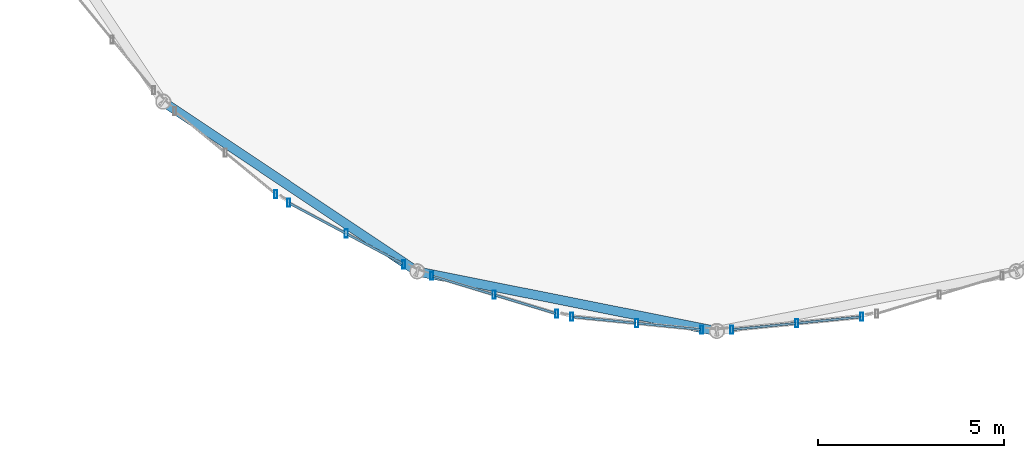
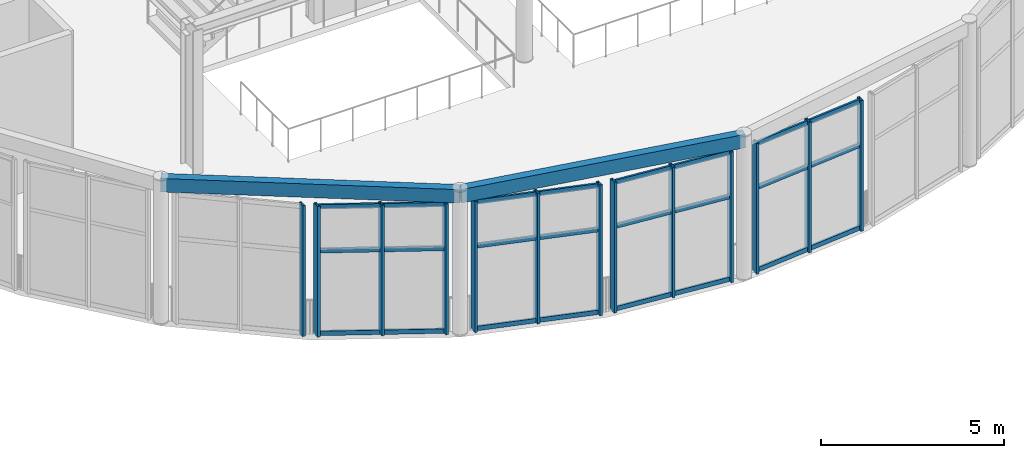
# One storey, part 29 of 143: 37 members, 2 beams, 5 elements without a shape of their own.
"""IFC4 building model written with IfcOpenShell, lengths in metres."""

from ifc_helpers import new_model, si_unit, direction, frame, origin, origin_2d, place, context, subcontext, project, spatial, hollow_rectangle, extrude, material, layer, layer_set, material_profile, profile_set, type_object, element, aggregate, save


model = new_model("IFC4")

# Units and contexts
model_context = context("Model", 3, precision=1e-05, world=origin(), true_north=direction((0.0, 1.0)))
body_context = subcontext(model_context, "Body", "Model", "MODEL_VIEW")
ifc_project = project(units=[si_unit("LENGTHUNIT", "METRE"), si_unit("AREAUNIT", "SQUARE_METRE"), si_unit("VOLUMEUNIT", "CUBIC_METRE"), si_unit("PLANEANGLEUNIT", "RADIAN"), si_unit("MASSUNIT", "GRAM", prefix="KILO")], contexts=[model_context])

# Site, building, storey
site_placement = place(None, origin())
site = spatial("IfcSite", under=ifc_project, at=site_placement, CompositionType="ELEMENT")
building_placement = place(site_placement, origin())
building = spatial("IfcBuilding", under=site, at=building_placement, Name="Marlcrest Central Station", CompositionType="ELEMENT")
storey_placement = place(building_placement, frame((0.0, 0.0, 4.800048828125)))
storey = spatial("IfcBuildingStorey", under=building, at=storey_placement, Name="L01", CompositionType="ELEMENT", Elevation=4.800048828125)

# Curtain wall, member
ifc_material_1 = material(Name="Anodised aluminium and hurricane laminated glass", Category="aluminium")
ifc_layer = layer(ifc_material_1, 0.219970703125, Name="CW-U1")
ifc_layer_set = layer_set([ifc_layer], Name="Anodised aluminium and hurricane laminated glass")
curtain_wall_type = type_object("IfcCurtainWallType", Name="CW-U1", PredefinedType="USERDEFINED", material=ifc_layer_set)
curtain_wall_1_placement = place(storey_placement, origin())
curtain_wall_1 = element("IfcCurtainWall", 1, at=curtain_wall_1_placement, inside=storey, type_object=curtain_wall_type, Name="cw-L01-0013", ObjectType="UNITISED_CURTAIN_WALL", PredefinedType="USERDEFINED")
ifc_material_2 = material(Name="Anodised aluminium 6063-T6", Category="aluminium")
ifc_material_profile_1 = material_profile(ifc_material_2, hollow_rectangle(XDim=0.080078125, YDim=0.219970703125, WallThickness=0.006103515625, at=origin_2d()), Name="AA-RHS 220x80x6")
ifc_profile_set_1 = profile_set([ifc_material_profile_1], Name="Anodised aluminium 6063-T6")
member_type_1 = type_object("IfcMemberType", Name="ML-01", PredefinedType="MULLION", material=ifc_profile_set_1)
member_1_placement = place(storey_placement, frame((96.173828125, 5.169677734375, -0.030029296875), z_axis=(0.0, 0.0, 1.0), x_axis=(1.0, 0.0, 0.0)))
member_1 = element("IfcMember", 2, at=member_1_placement, type_object=member_type_1, Name="cw-L01-0013-ml-0", PredefinedType="MULLION", context=body_context, shape_type="SweptSolid", body=[
    extrude(hollow_rectangle(XDim=0.080078125, YDim=0.219970703125, WallThickness=0.006103515625, at=origin_2d()), origin(), (0.0, 0.0, 1.0), 4.35986328125),
])
aggregate(curtain_wall_1, [member_1])

# Curtain wall, members
curtain_wall_2_placement = place(storey_placement, origin())
curtain_wall_2 = element("IfcCurtainWall", 3, at=curtain_wall_2_placement, inside=storey, type_object=curtain_wall_type, Name="cw-L01-0014", ObjectType="UNITISED_CURTAIN_WALL", PredefinedType="USERDEFINED")
member_2_placement = place(storey_placement, frame((99.607666015625, 3.289306640625, -0.030029296875), z_axis=(0.0, 0.0, 1.0), x_axis=(1.0, 0.0, 0.0)))
member_2 = element("IfcMember", 4, at=member_2_placement, type_object=member_type_1, Name="cw-L01-0014-ml-0", PredefinedType="MULLION", context=body_context, shape_type="SweptSolid", body=[
    extrude(hollow_rectangle(XDim=0.080078125, YDim=0.219970703125, WallThickness=0.006103515625, at=origin_2d()), origin(), (0.0, 0.0, 1.0), 4.35986328125),
])
member_3_placement = place(storey_placement, frame((98.06103515625, 4.11572265625, -0.030029296875), z_axis=(0.0, 0.0, 1.0), x_axis=(1.0, 0.0, 0.0)))
member_3 = element("IfcMember", 5, at=member_3_placement, type_object=member_type_1, Name="cw-L01-0014-ml-1", PredefinedType="MULLION", context=body_context, shape_type="SweptSolid", body=[
    extrude(hollow_rectangle(XDim=0.080078125, YDim=0.219970703125, WallThickness=0.006103515625, at=origin_2d()), origin(), (0.0, 0.0, 1.0), 4.35986328125),
])
member_4_placement = place(storey_placement, frame((96.514404296875, 4.94189453125, -0.030029296875), z_axis=(0.0, 0.0, 1.0), x_axis=(1.0, 0.0, 0.0)))
member_4 = element("IfcMember", 6, at=member_4_placement, type_object=member_type_1, Name="cw-L01-0014-ml-2", PredefinedType="MULLION", context=body_context, shape_type="SweptSolid", body=[
    extrude(hollow_rectangle(XDim=0.080078125, YDim=0.219970703125, WallThickness=0.006103515625, at=origin_2d()), origin(), (0.0, 0.0, 1.0), 4.35986328125),
])

curtain_wall_3_placement = place(storey_placement, origin())
curtain_wall_3 = element("IfcCurtainWall", 7, at=curtain_wall_3_placement, inside=storey, type_object=curtain_wall_type, Name="cw-L01-0015", ObjectType="UNITISED_CURTAIN_WALL", PredefinedType="USERDEFINED")
member_5_placement = place(storey_placement, frame((103.7060546875, 1.963623046875, -0.030029296875), z_axis=(0.0, 0.0, 1.0), x_axis=(1.0, 0.0, 0.0)))
member_5 = element("IfcMember", 8, at=member_5_placement, type_object=member_type_1, Name="cw-L01-0015-ml-0", PredefinedType="MULLION", context=body_context, shape_type="SweptSolid", body=[
    extrude(hollow_rectangle(XDim=0.080078125, YDim=0.219970703125, WallThickness=0.006103515625, at=origin_2d()), origin(), (0.0, 0.0, 1.0), 4.35986328125),
])
member_6_placement = place(storey_placement, frame((102.0283203125, 2.47265625, -0.030029296875), z_axis=(0.0, 0.0, 1.0), x_axis=(1.0, 0.0, 0.0)))
member_6 = element("IfcMember", 9, at=member_6_placement, type_object=member_type_1, Name="cw-L01-0015-ml-1", PredefinedType="MULLION", context=body_context, shape_type="SweptSolid", body=[
    extrude(hollow_rectangle(XDim=0.080078125, YDim=0.219970703125, WallThickness=0.006103515625, at=origin_2d()), origin(), (0.0, 0.0, 1.0), 4.35986328125),
])
member_7_placement = place(storey_placement, frame((100.3505859375, 2.981689453125, -0.030029296875), z_axis=(0.0, 0.0, 1.0), x_axis=(1.0, 0.0, 0.0)))
member_7 = element("IfcMember", 10, at=member_7_placement, type_object=member_type_1, Name="cw-L01-0015-ml-2", PredefinedType="MULLION", context=body_context, shape_type="SweptSolid", body=[
    extrude(hollow_rectangle(XDim=0.080078125, YDim=0.219970703125, WallThickness=0.006103515625, at=origin_2d()), origin(), (0.0, 0.0, 1.0), 4.35986328125),
])

curtain_wall_4_placement = place(storey_placement, origin())
curtain_wall_4 = element("IfcCurtainWall", 11, at=curtain_wall_4_placement, inside=storey, type_object=curtain_wall_type, Name="cw-L01-0016", ObjectType="UNITISED_CURTAIN_WALL", PredefinedType="USERDEFINED")
member_8_placement = place(storey_placement, frame((107.597900390625, 1.53955078125, -0.030029296875), z_axis=(0.0, 0.0, 1.0), x_axis=(1.0, 0.0, 0.0)))
member_8 = element("IfcMember", 12, at=member_8_placement, type_object=member_type_1, Name="cw-L01-0016-ml-0", PredefinedType="MULLION", context=body_context, shape_type="SweptSolid", body=[
    extrude(hollow_rectangle(XDim=0.080078125, YDim=0.219970703125, WallThickness=0.006103515625, at=origin_2d()), origin(), (0.0, 0.0, 1.0), 4.35986328125),
])
member_9_placement = place(storey_placement, frame((105.852783203125, 1.711669921875, -0.030029296875), z_axis=(0.0, 0.0, 1.0), x_axis=(1.0, 0.0, 0.0)))
member_9 = element("IfcMember", 13, at=member_9_placement, type_object=member_type_1, Name="cw-L01-0016-ml-1", PredefinedType="MULLION", context=body_context, shape_type="SweptSolid", body=[
    extrude(hollow_rectangle(XDim=0.080078125, YDim=0.219970703125, WallThickness=0.006103515625, at=origin_2d()), origin(), (0.0, 0.0, 1.0), 4.35986328125),
])
member_10_placement = place(storey_placement, frame((104.10791015625, 1.8837890625, -0.030029296875), z_axis=(0.0, 0.0, 1.0), x_axis=(1.0, 0.0, 0.0)))
member_10 = element("IfcMember", 14, at=member_10_placement, type_object=member_type_1, Name="cw-L01-0016-ml-2", PredefinedType="MULLION", context=body_context, shape_type="SweptSolid", body=[
    extrude(hollow_rectangle(XDim=0.080078125, YDim=0.219970703125, WallThickness=0.006103515625, at=origin_2d()), origin(), (0.0, 0.0, 1.0), 4.35986328125),
])

curtain_wall_5_placement = place(storey_placement, origin())
curtain_wall_5 = element("IfcCurtainWall", 15, at=curtain_wall_5_placement, inside=storey, type_object=curtain_wall_type, Name="cw-L01-0017", ObjectType="UNITISED_CURTAIN_WALL", PredefinedType="USERDEFINED")
member_11_placement = place(storey_placement, frame((111.89208984375, 1.8837890625, -0.030029296875), z_axis=(0.0, 0.0, 1.0), x_axis=(1.0, 0.0, 0.0)))
member_11 = element("IfcMember", 16, at=member_11_placement, type_object=member_type_1, Name="cw-L01-0017-ml-0", PredefinedType="MULLION", context=body_context, shape_type="SweptSolid", body=[
    extrude(hollow_rectangle(XDim=0.080078125, YDim=0.219970703125, WallThickness=0.006103515625, at=origin_2d()), origin(), (0.0, 0.0, 1.0), 4.35986328125),
])
member_12_placement = place(storey_placement, frame((110.147216796875, 1.711669921875, -0.030029296875), z_axis=(0.0, 0.0, 1.0), x_axis=(1.0, 0.0, 0.0)))
member_12 = element("IfcMember", 17, at=member_12_placement, type_object=member_type_1, Name="cw-L01-0017-ml-1", PredefinedType="MULLION", context=body_context, shape_type="SweptSolid", body=[
    extrude(hollow_rectangle(XDim=0.080078125, YDim=0.219970703125, WallThickness=0.006103515625, at=origin_2d()), origin(), (0.0, 0.0, 1.0), 4.35986328125),
])
member_13_placement = place(storey_placement, frame((108.402099609375, 1.53955078125, -0.030029296875), z_axis=(0.0, 0.0, 1.0), x_axis=(1.0, 0.0, 0.0)))
member_13 = element("IfcMember", 18, at=member_13_placement, type_object=member_type_1, Name="cw-L01-0017-ml-2", PredefinedType="MULLION", context=body_context, shape_type="SweptSolid", body=[
    extrude(hollow_rectangle(XDim=0.080078125, YDim=0.219970703125, WallThickness=0.006103515625, at=origin_2d()), origin(), (0.0, 0.0, 1.0), 4.35986328125),
])

# Beams
ifc_material_3 = material(Name="Steel S355", Category="steel")
ifc_material_profile_2 = material_profile(ifc_material_3, hollow_rectangle(XDim=0.25, YDim=0.449951171875, WallThickness=0.01611328125, at=origin_2d()), Name="RHS 450x250x16")
ifc_profile_set_2 = profile_set([ifc_material_profile_2], Name="Steel S355")
beam_type = type_object("IfcBeamType", Name="SP-02", PredefinedType="SPANDREL", material=ifc_profile_set_2)
beam_1_placement = place(storey_placement, frame((93.15087890625, 7.65087890625, 4.58984375), z_axis=(0.831508991937, -0.55551129271, 0.0), x_axis=(0.55551129271, 0.831508991937, 0.0)))
element("IfcBeam", 19, at=beam_1_placement, inside=storey, type_object=beam_type, Name="bm-SP-02-L01-01359", PredefinedType="SPANDREL", context=body_context, shape_type="SweptSolid", body=[
    extrude(hollow_rectangle(XDim=0.25, YDim=0.449951171875, WallThickness=0.01611328125, at=origin_2d()), origin(), (0.0, 0.0, 1.0), 8.19384765625),
])
beam_2_placement = place(storey_placement, frame((99.964111328125, 3.09912109375, 4.58984375), z_axis=(0.980769316421, -0.19517056122, 0.0), x_axis=(0.19517056122, 0.980769316421, 0.0)))
element("IfcBeam", 20, at=beam_2_placement, inside=storey, type_object=beam_type, Name="bm-SP-02-L01-01360", PredefinedType="SPANDREL", context=body_context, shape_type="SweptSolid", body=[
    extrude(hollow_rectangle(XDim=0.25, YDim=0.449951171875, WallThickness=0.01611328125, at=origin_2d()), origin(), (0.0, 0.0, 1.0), 8.193359375),
])

# Member
ifc_material_profile_3 = material_profile(ifc_material_2, hollow_rectangle(XDim=0.06005859375, YDim=0.14990234375, WallThickness=0.00390625, at=origin_2d()), Name="AA-RHS 150x60x4")
ifc_profile_set_3 = profile_set([ifc_material_profile_3], Name="Anodised aluminium 6063-T6")
member_type_2 = type_object("IfcMemberType", Name="TR-01", PredefinedType="USERDEFINED", material=ifc_profile_set_3)
member_14_placement = place(storey_placement, frame((99.57421875, 3.307373046875, 0.0400390625), z_axis=(-0.882022398889, 0.471207478568, 0.0), x_axis=(-0.471207478568, -0.882022398889, 0.0)))
member_14 = element("IfcMember", 21, at=member_14_placement, type_object=member_type_2, Name="cw-L01-0014-tr-0-sill", ObjectType="TRANSOM", PredefinedType="USERDEFINED", context=body_context, shape_type="SweptSolid", body=[
    extrude(hollow_rectangle(XDim=0.06005859375, YDim=0.14990234375, WallThickness=0.00390625, at=origin_2d()), origin(), (0.0, 0.0, 1.0), 1.677734375),
])

member_15_placement = place(storey_placement, frame((99.57421875, 3.307373046875, 2.794921875), z_axis=(-0.882022398889, 0.471207478568, 0.0), x_axis=(-0.471207478568, -0.882022398889, 0.0)))
member_15 = element("IfcMember", 22, at=member_15_placement, type_object=member_type_2, Name="cw-L01-0014-tr-0-mid", ObjectType="TRANSOM", PredefinedType="USERDEFINED", context=body_context, shape_type="SweptSolid", body=[
    extrude(hollow_rectangle(XDim=0.06005859375, YDim=0.14990234375, WallThickness=0.00390625, at=origin_2d()), origin(), (0.0, 0.0, 1.0), 1.677734375),
])

member_16_placement = place(storey_placement, frame((99.57421875, 3.307373046875, 4.260009765625), z_axis=(-0.882022398889, 0.471207478568, 0.0), x_axis=(-0.471207478568, -0.882022398889, 0.0)))
member_16 = element("IfcMember", 23, at=member_16_placement, type_object=member_type_2, Name="cw-L01-0014-tr-0-head", ObjectType="TRANSOM", PredefinedType="USERDEFINED", context=body_context, shape_type="SweptSolid", body=[
    extrude(hollow_rectangle(XDim=0.06005859375, YDim=0.14990234375, WallThickness=0.00390625, at=origin_2d()), origin(), (0.0, 0.0, 1.0), 1.677734375),
])

member_17_placement = place(storey_placement, frame((98.027587890625, 4.133544921875, 0.0400390625), z_axis=(-0.881990080976, 0.47126796736, 0.0), x_axis=(-0.47126796736, -0.881990080976, 0.0)))
member_17 = element("IfcMember", 24, at=member_17_placement, type_object=member_type_2, Name="cw-L01-0014-tr-1-sill", ObjectType="TRANSOM", PredefinedType="USERDEFINED", context=body_context, shape_type="SweptSolid", body=[
    extrude(hollow_rectangle(XDim=0.06005859375, YDim=0.14990234375, WallThickness=0.00390625, at=origin_2d()), origin(), (0.0, 0.0, 1.0), 1.677490234375),
])

member_18_placement = place(storey_placement, frame((98.027587890625, 4.133544921875, 2.794921875), z_axis=(-0.881990080976, 0.47126796736, 0.0), x_axis=(-0.47126796736, -0.881990080976, 0.0)))
member_18 = element("IfcMember", 25, at=member_18_placement, type_object=member_type_2, Name="cw-L01-0014-tr-1-mid", ObjectType="TRANSOM", PredefinedType="USERDEFINED", context=body_context, shape_type="SweptSolid", body=[
    extrude(hollow_rectangle(XDim=0.06005859375, YDim=0.14990234375, WallThickness=0.00390625, at=origin_2d()), origin(), (0.0, 0.0, 1.0), 1.677490234375),
])

member_19_placement = place(storey_placement, frame((98.027587890625, 4.133544921875, 4.260009765625), z_axis=(-0.881990080976, 0.47126796736, 0.0), x_axis=(-0.47126796736, -0.881990080976, 0.0)))
member_19 = element("IfcMember", 26, at=member_19_placement, type_object=member_type_2, Name="cw-L01-0014-tr-1-head", ObjectType="TRANSOM", PredefinedType="USERDEFINED", context=body_context, shape_type="SweptSolid", body=[
    extrude(hollow_rectangle(XDim=0.06005859375, YDim=0.14990234375, WallThickness=0.00390625, at=origin_2d()), origin(), (0.0, 0.0, 1.0), 1.677490234375),
])

aggregate(curtain_wall_2, [member_2, member_3, member_4, member_14, member_15, member_16, member_17, member_18, member_19])

member_20_placement = place(storey_placement, frame((103.669677734375, 1.974853515625, 0.0400390625), z_axis=(-0.95694846695, 0.29025787087, 0.0), x_axis=(-0.29025787087, -0.95694846695, 0.0)))
member_20 = element("IfcMember", 27, at=member_20_placement, type_object=member_type_2, Name="cw-L01-0015-tr-0-sill", ObjectType="TRANSOM", PredefinedType="USERDEFINED", context=body_context, shape_type="SweptSolid", body=[
    extrude(hollow_rectangle(XDim=0.06005859375, YDim=0.14990234375, WallThickness=0.00390625, at=origin_2d()), origin(), (0.0, 0.0, 1.0), 1.67724609375),
])

member_21_placement = place(storey_placement, frame((103.669677734375, 1.974853515625, 2.794921875), z_axis=(-0.95694846695, 0.29025787087, 0.0), x_axis=(-0.29025787087, -0.95694846695, 0.0)))
member_21 = element("IfcMember", 28, at=member_21_placement, type_object=member_type_2, Name="cw-L01-0015-tr-0-mid", ObjectType="TRANSOM", PredefinedType="USERDEFINED", context=body_context, shape_type="SweptSolid", body=[
    extrude(hollow_rectangle(XDim=0.06005859375, YDim=0.14990234375, WallThickness=0.00390625, at=origin_2d()), origin(), (0.0, 0.0, 1.0), 1.67724609375),
])

member_22_placement = place(storey_placement, frame((103.669677734375, 1.974853515625, 4.260009765625), z_axis=(-0.95694846695, 0.29025787087, 0.0), x_axis=(-0.29025787087, -0.95694846695, 0.0)))
member_22 = element("IfcMember", 29, at=member_22_placement, type_object=member_type_2, Name="cw-L01-0015-tr-0-head", ObjectType="TRANSOM", PredefinedType="USERDEFINED", context=body_context, shape_type="SweptSolid", body=[
    extrude(hollow_rectangle(XDim=0.06005859375, YDim=0.14990234375, WallThickness=0.00390625, at=origin_2d()), origin(), (0.0, 0.0, 1.0), 1.67724609375),
])

member_23_placement = place(storey_placement, frame((101.991943359375, 2.48388671875, 0.0400390625), z_axis=(-0.95694846695, 0.29025787087, 0.0), x_axis=(-0.29025787087, -0.95694846695, 0.0)))
member_23 = element("IfcMember", 30, at=member_23_placement, type_object=member_type_2, Name="cw-L01-0015-tr-1-sill", ObjectType="TRANSOM", PredefinedType="USERDEFINED", context=body_context, shape_type="SweptSolid", body=[
    extrude(hollow_rectangle(XDim=0.06005859375, YDim=0.14990234375, WallThickness=0.00390625, at=origin_2d()), origin(), (0.0, 0.0, 1.0), 1.67724609375),
])

member_24_placement = place(storey_placement, frame((101.991943359375, 2.48388671875, 2.794921875), z_axis=(-0.95694846695, 0.29025787087, 0.0), x_axis=(-0.29025787087, -0.95694846695, 0.0)))
member_24 = element("IfcMember", 31, at=member_24_placement, type_object=member_type_2, Name="cw-L01-0015-tr-1-mid", ObjectType="TRANSOM", PredefinedType="USERDEFINED", context=body_context, shape_type="SweptSolid", body=[
    extrude(hollow_rectangle(XDim=0.06005859375, YDim=0.14990234375, WallThickness=0.00390625, at=origin_2d()), origin(), (0.0, 0.0, 1.0), 1.67724609375),
])

member_25_placement = place(storey_placement, frame((101.991943359375, 2.48388671875, 4.260009765625), z_axis=(-0.95694846695, 0.29025787087, 0.0), x_axis=(-0.29025787087, -0.95694846695, 0.0)))
member_25 = element("IfcMember", 32, at=member_25_placement, type_object=member_type_2, Name="cw-L01-0015-tr-1-head", ObjectType="TRANSOM", PredefinedType="USERDEFINED", context=body_context, shape_type="SweptSolid", body=[
    extrude(hollow_rectangle(XDim=0.06005859375, YDim=0.14990234375, WallThickness=0.00390625, at=origin_2d()), origin(), (0.0, 0.0, 1.0), 1.67724609375),
])

aggregate(curtain_wall_3, [member_5, member_6, member_7, member_20, member_21, member_22, member_23, member_24, member_25])

member_26_placement = place(storey_placement, frame((107.56005859375, 1.54345703125, 0.0400390625), z_axis=(-0.99517740164, 0.098091484163, 0.0), x_axis=(-0.098091484163, -0.99517740164, 0.0)))
member_26 = element("IfcMember", 33, at=member_26_placement, type_object=member_type_2, Name="cw-L01-0016-tr-0-sill", ObjectType="TRANSOM", PredefinedType="USERDEFINED", context=body_context, shape_type="SweptSolid", body=[
    extrude(hollow_rectangle(XDim=0.06005859375, YDim=0.14990234375, WallThickness=0.00390625, at=origin_2d()), origin(), (0.0, 0.0, 1.0), 1.677490234375),
])

member_27_placement = place(storey_placement, frame((107.56005859375, 1.54345703125, 2.794921875), z_axis=(-0.99517740164, 0.098091484163, 0.0), x_axis=(-0.098091484163, -0.99517740164, 0.0)))
member_27 = element("IfcMember", 34, at=member_27_placement, type_object=member_type_2, Name="cw-L01-0016-tr-0-mid", ObjectType="TRANSOM", PredefinedType="USERDEFINED", context=body_context, shape_type="SweptSolid", body=[
    extrude(hollow_rectangle(XDim=0.06005859375, YDim=0.14990234375, WallThickness=0.00390625, at=origin_2d()), origin(), (0.0, 0.0, 1.0), 1.677490234375),
])

member_28_placement = place(storey_placement, frame((107.56005859375, 1.54345703125, 4.260009765625), z_axis=(-0.99517740164, 0.098091484163, 0.0), x_axis=(-0.098091484163, -0.99517740164, 0.0)))
member_28 = element("IfcMember", 35, at=member_28_placement, type_object=member_type_2, Name="cw-L01-0016-tr-0-head", ObjectType="TRANSOM", PredefinedType="USERDEFINED", context=body_context, shape_type="SweptSolid", body=[
    extrude(hollow_rectangle(XDim=0.06005859375, YDim=0.14990234375, WallThickness=0.00390625, at=origin_2d()), origin(), (0.0, 0.0, 1.0), 1.677490234375),
])

member_29_placement = place(storey_placement, frame((105.815185546875, 1.715576171875, 0.0400390625), z_axis=(-0.99517740164, 0.098091484163, 0.0), x_axis=(-0.098091484163, -0.99517740164, 0.0)))
member_29 = element("IfcMember", 36, at=member_29_placement, type_object=member_type_2, Name="cw-L01-0016-tr-1-sill", ObjectType="TRANSOM", PredefinedType="USERDEFINED", context=body_context, shape_type="SweptSolid", body=[
    extrude(hollow_rectangle(XDim=0.06005859375, YDim=0.14990234375, WallThickness=0.00390625, at=origin_2d()), origin(), (0.0, 0.0, 1.0), 1.677490234375),
])

member_30_placement = place(storey_placement, frame((105.815185546875, 1.715576171875, 2.794921875), z_axis=(-0.99517740164, 0.098091484163, 0.0), x_axis=(-0.098091484163, -0.99517740164, 0.0)))
member_30 = element("IfcMember", 37, at=member_30_placement, type_object=member_type_2, Name="cw-L01-0016-tr-1-mid", ObjectType="TRANSOM", PredefinedType="USERDEFINED", context=body_context, shape_type="SweptSolid", body=[
    extrude(hollow_rectangle(XDim=0.06005859375, YDim=0.14990234375, WallThickness=0.00390625, at=origin_2d()), origin(), (0.0, 0.0, 1.0), 1.677490234375),
])

member_31_placement = place(storey_placement, frame((105.815185546875, 1.715576171875, 4.260009765625), z_axis=(-0.99517740164, 0.098091484163, 0.0), x_axis=(-0.098091484163, -0.99517740164, 0.0)))
member_31 = element("IfcMember", 38, at=member_31_placement, type_object=member_type_2, Name="cw-L01-0016-tr-1-head", ObjectType="TRANSOM", PredefinedType="USERDEFINED", context=body_context, shape_type="SweptSolid", body=[
    extrude(hollow_rectangle(XDim=0.06005859375, YDim=0.14990234375, WallThickness=0.00390625, at=origin_2d()), origin(), (0.0, 0.0, 1.0), 1.677490234375),
])

aggregate(curtain_wall_4, [member_8, member_9, member_10, member_26, member_27, member_28, member_29, member_30, member_31])

member_32_placement = place(storey_placement, frame((111.854248046875, 1.880126953125, 0.0400390625), z_axis=(-0.99517740164, -0.098091484163, 0.0), x_axis=(0.098091484163, -0.99517740164, 0.0)))
member_32 = element("IfcMember", 39, at=member_32_placement, type_object=member_type_2, Name="cw-L01-0017-tr-0-sill", ObjectType="TRANSOM", PredefinedType="USERDEFINED", context=body_context, shape_type="SweptSolid", body=[
    extrude(hollow_rectangle(XDim=0.06005859375, YDim=0.14990234375, WallThickness=0.00390625, at=origin_2d()), origin(), (0.0, 0.0, 1.0), 1.677490234375),
])

member_33_placement = place(storey_placement, frame((111.854248046875, 1.880126953125, 2.794921875), z_axis=(-0.99517740164, -0.098091484163, 0.0), x_axis=(0.098091484163, -0.99517740164, 0.0)))
member_33 = element("IfcMember", 40, at=member_33_placement, type_object=member_type_2, Name="cw-L01-0017-tr-0-mid", ObjectType="TRANSOM", PredefinedType="USERDEFINED", context=body_context, shape_type="SweptSolid", body=[
    extrude(hollow_rectangle(XDim=0.06005859375, YDim=0.14990234375, WallThickness=0.00390625, at=origin_2d()), origin(), (0.0, 0.0, 1.0), 1.677490234375),
])

member_34_placement = place(storey_placement, frame((111.854248046875, 1.880126953125, 4.260009765625), z_axis=(-0.99517740164, -0.098091484163, 0.0), x_axis=(0.098091484163, -0.99517740164, 0.0)))
member_34 = element("IfcMember", 41, at=member_34_placement, type_object=member_type_2, Name="cw-L01-0017-tr-0-head", ObjectType="TRANSOM", PredefinedType="USERDEFINED", context=body_context, shape_type="SweptSolid", body=[
    extrude(hollow_rectangle(XDim=0.06005859375, YDim=0.14990234375, WallThickness=0.00390625, at=origin_2d()), origin(), (0.0, 0.0, 1.0), 1.677490234375),
])

member_35_placement = place(storey_placement, frame((110.109375, 1.7080078125, 0.0400390625), z_axis=(-0.99517740164, -0.098091484163, 0.0), x_axis=(0.098091484163, -0.99517740164, 0.0)))
member_35 = element("IfcMember", 42, at=member_35_placement, type_object=member_type_2, Name="cw-L01-0017-tr-1-sill", ObjectType="TRANSOM", PredefinedType="USERDEFINED", context=body_context, shape_type="SweptSolid", body=[
    extrude(hollow_rectangle(XDim=0.06005859375, YDim=0.14990234375, WallThickness=0.00390625, at=origin_2d()), origin(), (0.0, 0.0, 1.0), 1.677490234375),
])

member_36_placement = place(storey_placement, frame((110.109375, 1.7080078125, 2.794921875), z_axis=(-0.99517740164, -0.098091484163, 0.0), x_axis=(0.098091484163, -0.99517740164, 0.0)))
member_36 = element("IfcMember", 43, at=member_36_placement, type_object=member_type_2, Name="cw-L01-0017-tr-1-mid", ObjectType="TRANSOM", PredefinedType="USERDEFINED", context=body_context, shape_type="SweptSolid", body=[
    extrude(hollow_rectangle(XDim=0.06005859375, YDim=0.14990234375, WallThickness=0.00390625, at=origin_2d()), origin(), (0.0, 0.0, 1.0), 1.677490234375),
])

member_37_placement = place(storey_placement, frame((110.109375, 1.7080078125, 4.260009765625), z_axis=(-0.99517740164, -0.098091484163, 0.0), x_axis=(0.098091484163, -0.99517740164, 0.0)))
member_37 = element("IfcMember", 44, at=member_37_placement, type_object=member_type_2, Name="cw-L01-0017-tr-1-head", ObjectType="TRANSOM", PredefinedType="USERDEFINED", context=body_context, shape_type="SweptSolid", body=[
    extrude(hollow_rectangle(XDim=0.06005859375, YDim=0.14990234375, WallThickness=0.00390625, at=origin_2d()), origin(), (0.0, 0.0, 1.0), 1.677490234375),
])

aggregate(curtain_wall_5, [member_11, member_12, member_13, member_32, member_33, member_34, member_35, member_36, member_37])

save(model, "model.ifc")
